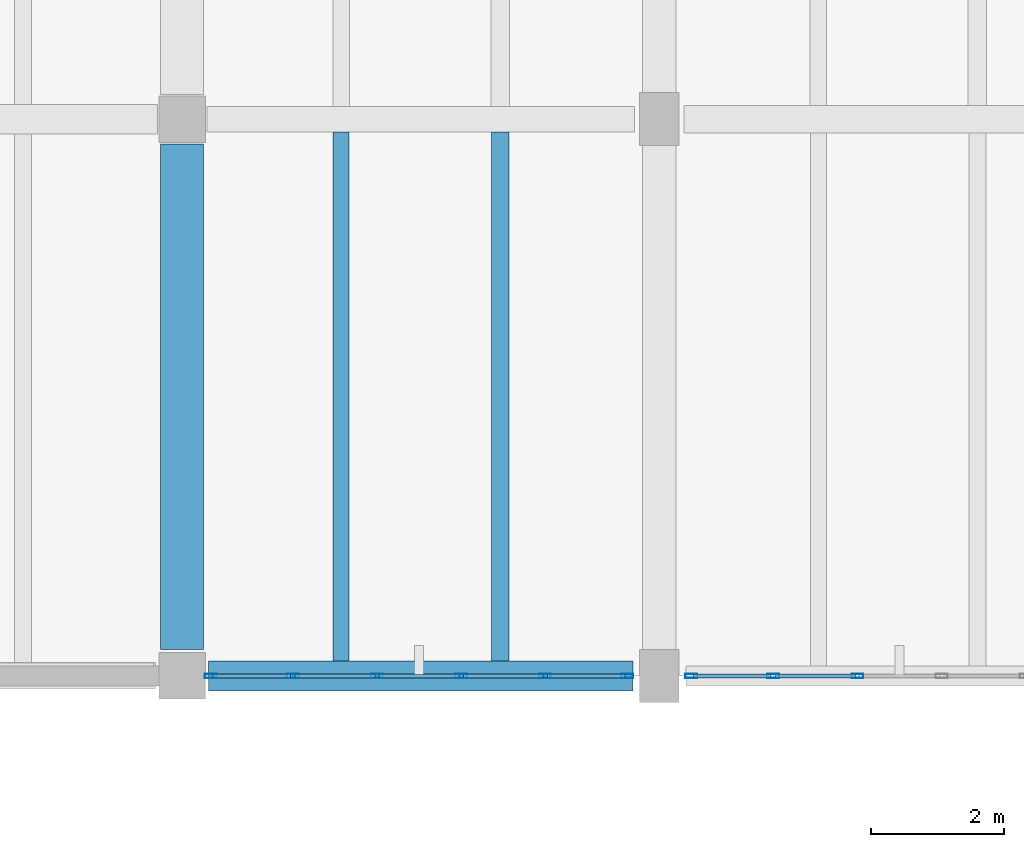
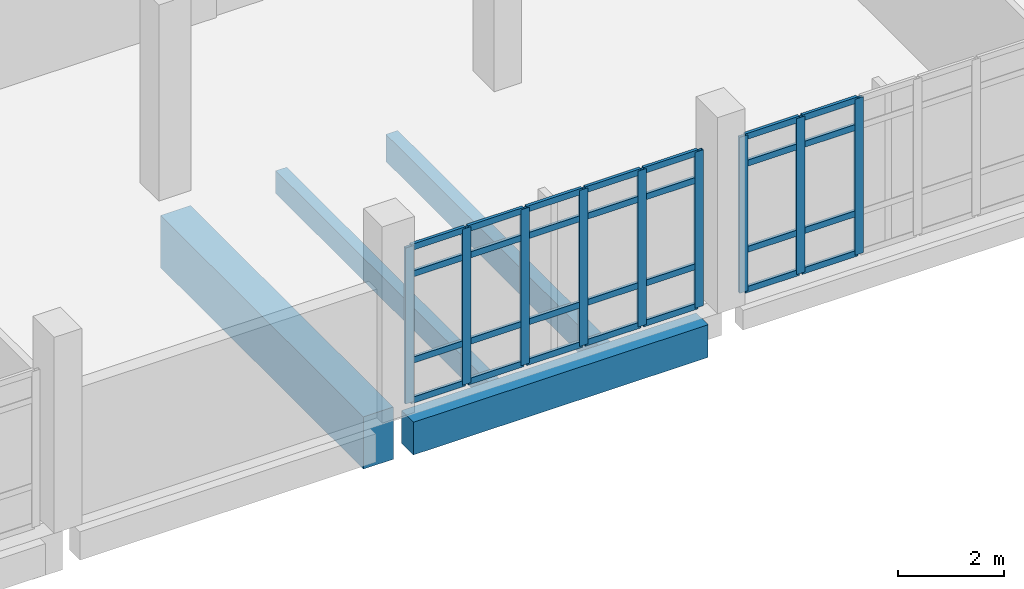
# One storey, part 48 of 87: 37 members, 4 beams, 2 elements without a shape of their own.
"""IFC4 building model written with IfcOpenShell, lengths in metres."""

from ifc_helpers import new_model, si_unit, direction, frame, origin, origin_2d, place, context, subcontext, project, spatial, rectangle, hollow_rectangle, extrude, material, material_profile, profile_set, type_object, element, aggregate, save


model = new_model("IFC4")

# Units and contexts
model_context = context("Model", 3, precision=1e-05, world=origin(), true_north=direction((0.0, 1.0)))
body_context = subcontext(model_context, "Body", "Model", "MODEL_VIEW")
ifc_project = project(units=[si_unit("LENGTHUNIT", "METRE"), si_unit("AREAUNIT", "SQUARE_METRE"), si_unit("VOLUMEUNIT", "CUBIC_METRE"), si_unit("PLANEANGLEUNIT", "RADIAN"), si_unit("MASSUNIT", "GRAM", prefix="KILO")], contexts=[model_context])

# Site, building, storey
site_placement = place(None, origin())
site = spatial("IfcSite", under=ifc_project, at=site_placement, CompositionType="ELEMENT")
building_placement = place(site_placement, origin())
building = spatial("IfcBuilding", under=site, at=building_placement, Name="Kalluvel Institute of Natural Sciences", CompositionType="ELEMENT")
storey_placement = place(building_placement, frame((0.0, 0.0, 18.89990234375)))
storey = spatial("IfcBuildingStorey", under=building, at=storey_placement, Name="L04", CompositionType="ELEMENT", Elevation=18.89990234375)

# Beams
ifc_material_1 = material(Name="Concrete M40", Category="concrete")
ifc_material_profile_1 = material_profile(ifc_material_1, rectangle(XDim=0.449951171875, YDim=0.75, at=origin_2d()), Name="RCB 450x750")
ifc_profile_set_1 = profile_set([ifc_material_profile_1], Name="Concrete M40")
beam_type_1 = type_object("IfcBeamType", Name="BM-RC450x750", PredefinedType="BEAM", material=ifc_profile_set_1)
beam_1_placement = place(storey_placement, frame((79.199951171875, 102.800048828125, -0.69482421875), z_axis=(1.0, 0.0, 0.0), x_axis=(0.0, 1.0, 0.0)))
element("IfcBeam", 1, at=beam_1_placement, inside=storey, type_object=beam_type_1, Name="L04 girder GIR-L04-EW-X788-Y1028", PredefinedType="BEAM", context=body_context, shape_type="SweptSolid", body=[
    extrude(rectangle(XDim=0.449951171875, YDim=0.75, at=origin_2d()), origin(), (0.0, 0.0, 1.0), 6.400146484375),
])
ifc_material_2 = material(Name="Concrete M50", Category="concrete")
ifc_material_profile_2 = material_profile(ifc_material_2, rectangle(XDim=0.64990234375, YDim=1.199951171875, at=origin_2d()), Name="RCB 650x1200")
ifc_profile_set_2 = profile_set([ifc_material_profile_2], Name="Concrete M50")
beam_type_2 = type_object("IfcBeamType", Name="BM-RC650x1200", PredefinedType="BEAM", material=ifc_profile_set_2)
beam_2_placement = place(storey_placement, frame((78.800048828125, 103.199951171875, -0.919921875), z_axis=(0.0, 1.0, 0.0), x_axis=(-1.0, 0.0, 0.0)))
element("IfcBeam", 2, at=beam_2_placement, inside=storey, type_object=beam_type_2, Name="L04 girder GIR-L04-NS-X788-Y1028", PredefinedType="BEAM", context=body_context, shape_type="SweptSolid", body=[
    extrude(rectangle(XDim=0.64990234375, YDim=1.199951171875, at=origin_2d()), origin(), (0.0, 0.0, 1.0), 7.625),
])

# Curtain wall, members
ifc_material_3 = material(Name="Aluminium AW-6063 T6", Category="aluminium")
curtain_wall_type = type_object("IfcCurtainWallType", Name="CW-WET-45", PredefinedType="USERDEFINED", material=ifc_material_3)
curtain_wall_1_placement = place(storey_placement, origin())
curtain_wall_1 = element("IfcCurtainWall", 3, at=curtain_wall_1_placement, inside=storey, type_object=curtain_wall_type, Name="L04 Gothic lancet curtain wall CWA-L04-X792-Y1028", ObjectType="UNITISED LANCET FACADE", PredefinedType="USERDEFINED")
ifc_material_profile_3 = material_profile(ifc_material_3, hollow_rectangle(XDim=0.06494140625, YDim=0.179931640625, WallThickness=0.00439453125, at=origin_2d()), Name="CWM 65x180")
ifc_profile_set_3 = profile_set([ifc_material_profile_3], Name="Aluminium AW-6063 T6")
member_type_1 = type_object("IfcMemberType", Name="CWM-65x180", PredefinedType="MULLION", material=ifc_profile_set_3)
member_1_placement = place(storey_placement, frame((79.232421875, 102.800048828125, 0.0), z_axis=(0.0, 0.0, 1.0), x_axis=(0.0, 1.0, 0.0)))
member_1 = element("IfcMember", 4, at=member_1_placement, type_object=member_type_1, Name="CW-01 mullion 1", PredefinedType="MULLION", context=body_context, shape_type="SweptSolid", body=[
    extrude(hollow_rectangle(XDim=0.06494140625, YDim=0.179931640625, WallThickness=0.00439453125, at=origin_2d()), origin(), (0.0, 0.0, 1.0), 3.580078125),
])
member_2_placement = place(storey_placement, frame((80.469970703125, 102.800048828125, 0.0), z_axis=(0.0, 0.0, 1.0), x_axis=(0.0, 1.0, 0.0)))
member_2 = element("IfcMember", 5, at=member_2_placement, type_object=member_type_1, Name="CW-01 mullion 2", PredefinedType="MULLION", context=body_context, shape_type="SweptSolid", body=[
    extrude(hollow_rectangle(XDim=0.06494140625, YDim=0.179931640625, WallThickness=0.00439453125, at=origin_2d()), origin(), (0.0, 0.0, 1.0), 3.580078125),
])
member_3_placement = place(storey_placement, frame((81.739990234375, 102.800048828125, 0.0), z_axis=(0.0, 0.0, 1.0), x_axis=(0.0, 1.0, 0.0)))
member_3 = element("IfcMember", 6, at=member_3_placement, type_object=member_type_1, Name="CW-01 mullion 3", PredefinedType="MULLION", context=body_context, shape_type="SweptSolid", body=[
    extrude(hollow_rectangle(XDim=0.06494140625, YDim=0.179931640625, WallThickness=0.00439453125, at=origin_2d()), origin(), (0.0, 0.0, 1.0), 3.580078125),
])
member_4_placement = place(storey_placement, frame((83.010009765625, 102.800048828125, 0.0), z_axis=(0.0, 0.0, 1.0), x_axis=(0.0, 1.0, 0.0)))
member_4 = element("IfcMember", 7, at=member_4_placement, type_object=member_type_1, Name="CW-01 mullion 4", PredefinedType="MULLION", context=body_context, shape_type="SweptSolid", body=[
    extrude(hollow_rectangle(XDim=0.06494140625, YDim=0.179931640625, WallThickness=0.00439453125, at=origin_2d()), origin(), (0.0, 0.0, 1.0), 3.580078125),
])
member_5_placement = place(storey_placement, frame((84.280029296875, 102.800048828125, 0.0), z_axis=(0.0, 0.0, 1.0), x_axis=(0.0, 1.0, 0.0)))
member_5 = element("IfcMember", 8, at=member_5_placement, type_object=member_type_1, Name="CW-01 mullion 5", PredefinedType="MULLION", context=body_context, shape_type="SweptSolid", body=[
    extrude(hollow_rectangle(XDim=0.06494140625, YDim=0.179931640625, WallThickness=0.00439453125, at=origin_2d()), origin(), (0.0, 0.0, 1.0), 3.580078125),
])
member_6_placement = place(storey_placement, frame((85.517578125, 102.800048828125, 0.0), z_axis=(0.0, 0.0, 1.0), x_axis=(0.0, 1.0, 0.0)))
member_6 = element("IfcMember", 9, at=member_6_placement, type_object=member_type_1, Name="CW-01 mullion 6", PredefinedType="MULLION", context=body_context, shape_type="SweptSolid", body=[
    extrude(hollow_rectangle(XDim=0.06494140625, YDim=0.179931640625, WallThickness=0.00439453125, at=origin_2d()), origin(), (0.0, 0.0, 1.0), 3.580078125),
])

curtain_wall_2_placement = place(storey_placement, origin())
curtain_wall_2 = element("IfcCurtainWall", 10, at=curtain_wall_2_placement, inside=storey, type_object=curtain_wall_type, Name="L04 Gothic lancet curtain wall CWA-L04-X864-Y1028", ObjectType="UNITISED LANCET FACADE", PredefinedType="USERDEFINED")
member_7_placement = place(storey_placement, frame((86.482421875, 102.800048828125, 0.0), z_axis=(0.0, 0.0, 1.0), x_axis=(0.0, 1.0, 0.0)))
member_7 = element("IfcMember", 11, at=member_7_placement, type_object=member_type_1, Name="CW-01 mullion 1", PredefinedType="MULLION", context=body_context, shape_type="SweptSolid", body=[
    extrude(hollow_rectangle(XDim=0.06494140625, YDim=0.179931640625, WallThickness=0.00439453125, at=origin_2d()), origin(), (0.0, 0.0, 1.0), 3.580078125),
])
member_8_placement = place(storey_placement, frame((87.719970703125, 102.800048828125, 0.0), z_axis=(0.0, 0.0, 1.0), x_axis=(0.0, 1.0, 0.0)))
member_8 = element("IfcMember", 12, at=member_8_placement, type_object=member_type_1, Name="CW-01 mullion 2", PredefinedType="MULLION", context=body_context, shape_type="SweptSolid", body=[
    extrude(hollow_rectangle(XDim=0.06494140625, YDim=0.179931640625, WallThickness=0.00439453125, at=origin_2d()), origin(), (0.0, 0.0, 1.0), 3.580078125),
])
member_9_placement = place(storey_placement, frame((88.989990234375, 102.800048828125, 0.0), z_axis=(0.0, 0.0, 1.0), x_axis=(0.0, 1.0, 0.0)))
member_9 = element("IfcMember", 13, at=member_9_placement, type_object=member_type_1, Name="CW-01 mullion 3", PredefinedType="MULLION", context=body_context, shape_type="SweptSolid", body=[
    extrude(hollow_rectangle(XDim=0.06494140625, YDim=0.179931640625, WallThickness=0.00439453125, at=origin_2d()), origin(), (0.0, 0.0, 1.0), 3.580078125),
])

# Member
ifc_material_profile_4 = material_profile(ifc_material_3, hollow_rectangle(XDim=0.06494140625, YDim=0.139892578125, WallThickness=0.00439453125, at=origin_2d()), Name="CWT 65x140")
ifc_profile_set_4 = profile_set([ifc_material_profile_4], Name="Aluminium AW-6063 T6")
member_type_2 = type_object("IfcMemberType", Name="CWT-65x140", PredefinedType="USERDEFINED", material=ifc_profile_set_4)
member_10_placement = place(storey_placement, frame((79.264892578125, 102.800048828125, 0.03271484375), z_axis=(1.0, 0.0, 0.0), x_axis=(0.0, 1.0, 0.0)))
member_10 = element("IfcMember", 14, at=member_10_placement, type_object=member_type_2, Name="CW-01 transom 1.1", ObjectType="TRANSOM", PredefinedType="USERDEFINED", context=body_context, shape_type="SweptSolid", body=[
    extrude(hollow_rectangle(XDim=0.06494140625, YDim=0.139892578125, WallThickness=0.00439453125, at=origin_2d()), origin(), (0.0, 0.0, 1.0), 1.172607421875),
])

member_11_placement = place(storey_placement, frame((79.264892578125, 102.800048828125, 0.9501953125), z_axis=(1.0, 0.0, 0.0), x_axis=(0.0, 1.0, 0.0)))
member_11 = element("IfcMember", 15, at=member_11_placement, type_object=member_type_2, Name="CW-01 transom 1.2", ObjectType="TRANSOM", PredefinedType="USERDEFINED", context=body_context, shape_type="SweptSolid", body=[
    extrude(hollow_rectangle(XDim=0.06494140625, YDim=0.139892578125, WallThickness=0.00439453125, at=origin_2d()), origin(), (0.0, 0.0, 1.0), 1.172607421875),
])

member_12_placement = place(storey_placement, frame((79.264892578125, 102.800048828125, 2.93017578125), z_axis=(1.0, 0.0, 0.0), x_axis=(0.0, 1.0, 0.0)))
member_12 = element("IfcMember", 16, at=member_12_placement, type_object=member_type_2, Name="CW-01 transom 1.3", ObjectType="TRANSOM", PredefinedType="USERDEFINED", context=body_context, shape_type="SweptSolid", body=[
    extrude(hollow_rectangle(XDim=0.06494140625, YDim=0.139892578125, WallThickness=0.00439453125, at=origin_2d()), origin(), (0.0, 0.0, 1.0), 1.172607421875),
])

member_13_placement = place(storey_placement, frame((79.264892578125, 102.800048828125, 3.547607421875), z_axis=(1.0, 0.0, 0.0), x_axis=(0.0, 1.0, 0.0)))
member_13 = element("IfcMember", 17, at=member_13_placement, type_object=member_type_2, Name="CW-01 transom 1.4", ObjectType="TRANSOM", PredefinedType="USERDEFINED", context=body_context, shape_type="SweptSolid", body=[
    extrude(hollow_rectangle(XDim=0.06494140625, YDim=0.139892578125, WallThickness=0.00439453125, at=origin_2d()), origin(), (0.0, 0.0, 1.0), 1.172607421875),
])

member_14_placement = place(storey_placement, frame((80.50244140625, 102.800048828125, 0.03271484375), z_axis=(1.0, 0.0, 0.0), x_axis=(0.0, 1.0, 0.0)))
member_14 = element("IfcMember", 18, at=member_14_placement, type_object=member_type_2, Name="CW-01 transom 2.1", ObjectType="TRANSOM", PredefinedType="USERDEFINED", context=body_context, shape_type="SweptSolid", body=[
    extrude(hollow_rectangle(XDim=0.06494140625, YDim=0.139892578125, WallThickness=0.00439453125, at=origin_2d()), origin(), (0.0, 0.0, 1.0), 1.205078125),
])

member_15_placement = place(storey_placement, frame((80.50244140625, 102.800048828125, 0.9501953125), z_axis=(1.0, 0.0, 0.0), x_axis=(0.0, 1.0, 0.0)))
member_15 = element("IfcMember", 19, at=member_15_placement, type_object=member_type_2, Name="CW-01 transom 2.2", ObjectType="TRANSOM", PredefinedType="USERDEFINED", context=body_context, shape_type="SweptSolid", body=[
    extrude(hollow_rectangle(XDim=0.06494140625, YDim=0.139892578125, WallThickness=0.00439453125, at=origin_2d()), origin(), (0.0, 0.0, 1.0), 1.205078125),
])

member_16_placement = place(storey_placement, frame((80.50244140625, 102.800048828125, 2.93017578125), z_axis=(1.0, 0.0, 0.0), x_axis=(0.0, 1.0, 0.0)))
member_16 = element("IfcMember", 20, at=member_16_placement, type_object=member_type_2, Name="CW-01 transom 2.3", ObjectType="TRANSOM", PredefinedType="USERDEFINED", context=body_context, shape_type="SweptSolid", body=[
    extrude(hollow_rectangle(XDim=0.06494140625, YDim=0.139892578125, WallThickness=0.00439453125, at=origin_2d()), origin(), (0.0, 0.0, 1.0), 1.205078125),
])

member_17_placement = place(storey_placement, frame((80.50244140625, 102.800048828125, 3.547607421875), z_axis=(1.0, 0.0, 0.0), x_axis=(0.0, 1.0, 0.0)))
member_17 = element("IfcMember", 21, at=member_17_placement, type_object=member_type_2, Name="CW-01 transom 2.4", ObjectType="TRANSOM", PredefinedType="USERDEFINED", context=body_context, shape_type="SweptSolid", body=[
    extrude(hollow_rectangle(XDim=0.06494140625, YDim=0.139892578125, WallThickness=0.00439453125, at=origin_2d()), origin(), (0.0, 0.0, 1.0), 1.205078125),
])

member_18_placement = place(storey_placement, frame((81.7724609375, 102.800048828125, 0.03271484375), z_axis=(1.0, 0.0, 0.0), x_axis=(0.0, 1.0, 0.0)))
member_18 = element("IfcMember", 22, at=member_18_placement, type_object=member_type_2, Name="CW-01 transom 3.1", ObjectType="TRANSOM", PredefinedType="USERDEFINED", context=body_context, shape_type="SweptSolid", body=[
    extrude(hollow_rectangle(XDim=0.06494140625, YDim=0.139892578125, WallThickness=0.00439453125, at=origin_2d()), origin(), (0.0, 0.0, 1.0), 1.205078125),
])

member_19_placement = place(storey_placement, frame((81.7724609375, 102.800048828125, 0.9501953125), z_axis=(1.0, 0.0, 0.0), x_axis=(0.0, 1.0, 0.0)))
member_19 = element("IfcMember", 23, at=member_19_placement, type_object=member_type_2, Name="CW-01 transom 3.2", ObjectType="TRANSOM", PredefinedType="USERDEFINED", context=body_context, shape_type="SweptSolid", body=[
    extrude(hollow_rectangle(XDim=0.06494140625, YDim=0.139892578125, WallThickness=0.00439453125, at=origin_2d()), origin(), (0.0, 0.0, 1.0), 1.205078125),
])

member_20_placement = place(storey_placement, frame((81.7724609375, 102.800048828125, 2.93017578125), z_axis=(1.0, 0.0, 0.0), x_axis=(0.0, 1.0, 0.0)))
member_20 = element("IfcMember", 24, at=member_20_placement, type_object=member_type_2, Name="CW-01 transom 3.3", ObjectType="TRANSOM", PredefinedType="USERDEFINED", context=body_context, shape_type="SweptSolid", body=[
    extrude(hollow_rectangle(XDim=0.06494140625, YDim=0.139892578125, WallThickness=0.00439453125, at=origin_2d()), origin(), (0.0, 0.0, 1.0), 1.205078125),
])

member_21_placement = place(storey_placement, frame((81.7724609375, 102.800048828125, 3.547607421875), z_axis=(1.0, 0.0, 0.0), x_axis=(0.0, 1.0, 0.0)))
member_21 = element("IfcMember", 25, at=member_21_placement, type_object=member_type_2, Name="CW-01 transom 3.4", ObjectType="TRANSOM", PredefinedType="USERDEFINED", context=body_context, shape_type="SweptSolid", body=[
    extrude(hollow_rectangle(XDim=0.06494140625, YDim=0.139892578125, WallThickness=0.00439453125, at=origin_2d()), origin(), (0.0, 0.0, 1.0), 1.205078125),
])

member_22_placement = place(storey_placement, frame((83.04248046875, 102.800048828125, 0.03271484375), z_axis=(1.0, 0.0, 0.0), x_axis=(0.0, 1.0, 0.0)))
member_22 = element("IfcMember", 26, at=member_22_placement, type_object=member_type_2, Name="CW-01 transom 4.1", ObjectType="TRANSOM", PredefinedType="USERDEFINED", context=body_context, shape_type="SweptSolid", body=[
    extrude(hollow_rectangle(XDim=0.06494140625, YDim=0.139892578125, WallThickness=0.00439453125, at=origin_2d()), origin(), (0.0, 0.0, 1.0), 1.205078125),
])

member_23_placement = place(storey_placement, frame((83.04248046875, 102.800048828125, 0.9501953125), z_axis=(1.0, 0.0, 0.0), x_axis=(0.0, 1.0, 0.0)))
member_23 = element("IfcMember", 27, at=member_23_placement, type_object=member_type_2, Name="CW-01 transom 4.2", ObjectType="TRANSOM", PredefinedType="USERDEFINED", context=body_context, shape_type="SweptSolid", body=[
    extrude(hollow_rectangle(XDim=0.06494140625, YDim=0.139892578125, WallThickness=0.00439453125, at=origin_2d()), origin(), (0.0, 0.0, 1.0), 1.205078125),
])

member_24_placement = place(storey_placement, frame((83.04248046875, 102.800048828125, 2.93017578125), z_axis=(1.0, 0.0, 0.0), x_axis=(0.0, 1.0, 0.0)))
member_24 = element("IfcMember", 28, at=member_24_placement, type_object=member_type_2, Name="CW-01 transom 4.3", ObjectType="TRANSOM", PredefinedType="USERDEFINED", context=body_context, shape_type="SweptSolid", body=[
    extrude(hollow_rectangle(XDim=0.06494140625, YDim=0.139892578125, WallThickness=0.00439453125, at=origin_2d()), origin(), (0.0, 0.0, 1.0), 1.205078125),
])

member_25_placement = place(storey_placement, frame((83.04248046875, 102.800048828125, 3.547607421875), z_axis=(1.0, 0.0, 0.0), x_axis=(0.0, 1.0, 0.0)))
member_25 = element("IfcMember", 29, at=member_25_placement, type_object=member_type_2, Name="CW-01 transom 4.4", ObjectType="TRANSOM", PredefinedType="USERDEFINED", context=body_context, shape_type="SweptSolid", body=[
    extrude(hollow_rectangle(XDim=0.06494140625, YDim=0.139892578125, WallThickness=0.00439453125, at=origin_2d()), origin(), (0.0, 0.0, 1.0), 1.205078125),
])

member_26_placement = place(storey_placement, frame((84.3125, 102.800048828125, 0.03271484375), z_axis=(1.0, 0.0, 0.0), x_axis=(0.0, 1.0, 0.0)))
member_26 = element("IfcMember", 30, at=member_26_placement, type_object=member_type_2, Name="CW-01 transom 5.1", ObjectType="TRANSOM", PredefinedType="USERDEFINED", context=body_context, shape_type="SweptSolid", body=[
    extrude(hollow_rectangle(XDim=0.06494140625, YDim=0.139892578125, WallThickness=0.00439453125, at=origin_2d()), origin(), (0.0, 0.0, 1.0), 1.172607421875),
])

member_27_placement = place(storey_placement, frame((84.3125, 102.800048828125, 0.9501953125), z_axis=(1.0, 0.0, 0.0), x_axis=(0.0, 1.0, 0.0)))
member_27 = element("IfcMember", 31, at=member_27_placement, type_object=member_type_2, Name="CW-01 transom 5.2", ObjectType="TRANSOM", PredefinedType="USERDEFINED", context=body_context, shape_type="SweptSolid", body=[
    extrude(hollow_rectangle(XDim=0.06494140625, YDim=0.139892578125, WallThickness=0.00439453125, at=origin_2d()), origin(), (0.0, 0.0, 1.0), 1.172607421875),
])

member_28_placement = place(storey_placement, frame((84.3125, 102.800048828125, 2.93017578125), z_axis=(1.0, 0.0, 0.0), x_axis=(0.0, 1.0, 0.0)))
member_28 = element("IfcMember", 32, at=member_28_placement, type_object=member_type_2, Name="CW-01 transom 5.3", ObjectType="TRANSOM", PredefinedType="USERDEFINED", context=body_context, shape_type="SweptSolid", body=[
    extrude(hollow_rectangle(XDim=0.06494140625, YDim=0.139892578125, WallThickness=0.00439453125, at=origin_2d()), origin(), (0.0, 0.0, 1.0), 1.172607421875),
])

member_29_placement = place(storey_placement, frame((84.3125, 102.800048828125, 3.547607421875), z_axis=(1.0, 0.0, 0.0), x_axis=(0.0, 1.0, 0.0)))
member_29 = element("IfcMember", 33, at=member_29_placement, type_object=member_type_2, Name="CW-01 transom 5.4", ObjectType="TRANSOM", PredefinedType="USERDEFINED", context=body_context, shape_type="SweptSolid", body=[
    extrude(hollow_rectangle(XDim=0.06494140625, YDim=0.139892578125, WallThickness=0.00439453125, at=origin_2d()), origin(), (0.0, 0.0, 1.0), 1.172607421875),
])

aggregate(curtain_wall_1, [member_1, member_2, member_3, member_4, member_5, member_6, member_10, member_11, member_12, member_13, member_14, member_15, member_16, member_17, member_18, member_19, member_20, member_21, member_22, member_23, member_24, member_25, member_26, member_27, member_28, member_29])

member_30_placement = place(storey_placement, frame((86.514892578125, 102.800048828125, 0.03271484375), z_axis=(1.0, 0.0, 0.0), x_axis=(0.0, 1.0, 0.0)))
member_30 = element("IfcMember", 34, at=member_30_placement, type_object=member_type_2, Name="CW-01 transom 1.1", ObjectType="TRANSOM", PredefinedType="USERDEFINED", context=body_context, shape_type="SweptSolid", body=[
    extrude(hollow_rectangle(XDim=0.06494140625, YDim=0.139892578125, WallThickness=0.00439453125, at=origin_2d()), origin(), (0.0, 0.0, 1.0), 1.172607421875),
])

member_31_placement = place(storey_placement, frame((86.514892578125, 102.800048828125, 0.9501953125), z_axis=(1.0, 0.0, 0.0), x_axis=(0.0, 1.0, 0.0)))
member_31 = element("IfcMember", 35, at=member_31_placement, type_object=member_type_2, Name="CW-01 transom 1.2", ObjectType="TRANSOM", PredefinedType="USERDEFINED", context=body_context, shape_type="SweptSolid", body=[
    extrude(hollow_rectangle(XDim=0.06494140625, YDim=0.139892578125, WallThickness=0.00439453125, at=origin_2d()), origin(), (0.0, 0.0, 1.0), 1.172607421875),
])

member_32_placement = place(storey_placement, frame((86.514892578125, 102.800048828125, 2.93017578125), z_axis=(1.0, 0.0, 0.0), x_axis=(0.0, 1.0, 0.0)))
member_32 = element("IfcMember", 36, at=member_32_placement, type_object=member_type_2, Name="CW-01 transom 1.3", ObjectType="TRANSOM", PredefinedType="USERDEFINED", context=body_context, shape_type="SweptSolid", body=[
    extrude(hollow_rectangle(XDim=0.06494140625, YDim=0.139892578125, WallThickness=0.00439453125, at=origin_2d()), origin(), (0.0, 0.0, 1.0), 1.172607421875),
])

member_33_placement = place(storey_placement, frame((86.514892578125, 102.800048828125, 3.547607421875), z_axis=(1.0, 0.0, 0.0), x_axis=(0.0, 1.0, 0.0)))
member_33 = element("IfcMember", 37, at=member_33_placement, type_object=member_type_2, Name="CW-01 transom 1.4", ObjectType="TRANSOM", PredefinedType="USERDEFINED", context=body_context, shape_type="SweptSolid", body=[
    extrude(hollow_rectangle(XDim=0.06494140625, YDim=0.139892578125, WallThickness=0.00439453125, at=origin_2d()), origin(), (0.0, 0.0, 1.0), 1.172607421875),
])

member_34_placement = place(storey_placement, frame((87.75244140625, 102.800048828125, 0.03271484375), z_axis=(1.0, 0.0, 0.0), x_axis=(0.0, 1.0, 0.0)))
member_34 = element("IfcMember", 38, at=member_34_placement, type_object=member_type_2, Name="CW-01 transom 2.1", ObjectType="TRANSOM", PredefinedType="USERDEFINED", context=body_context, shape_type="SweptSolid", body=[
    extrude(hollow_rectangle(XDim=0.06494140625, YDim=0.139892578125, WallThickness=0.00439453125, at=origin_2d()), origin(), (0.0, 0.0, 1.0), 1.205078125),
])

member_35_placement = place(storey_placement, frame((87.75244140625, 102.800048828125, 0.9501953125), z_axis=(1.0, 0.0, 0.0), x_axis=(0.0, 1.0, 0.0)))
member_35 = element("IfcMember", 39, at=member_35_placement, type_object=member_type_2, Name="CW-01 transom 2.2", ObjectType="TRANSOM", PredefinedType="USERDEFINED", context=body_context, shape_type="SweptSolid", body=[
    extrude(hollow_rectangle(XDim=0.06494140625, YDim=0.139892578125, WallThickness=0.00439453125, at=origin_2d()), origin(), (0.0, 0.0, 1.0), 1.205078125),
])

member_36_placement = place(storey_placement, frame((87.75244140625, 102.800048828125, 2.93017578125), z_axis=(1.0, 0.0, 0.0), x_axis=(0.0, 1.0, 0.0)))
member_36 = element("IfcMember", 40, at=member_36_placement, type_object=member_type_2, Name="CW-01 transom 2.3", ObjectType="TRANSOM", PredefinedType="USERDEFINED", context=body_context, shape_type="SweptSolid", body=[
    extrude(hollow_rectangle(XDim=0.06494140625, YDim=0.139892578125, WallThickness=0.00439453125, at=origin_2d()), origin(), (0.0, 0.0, 1.0), 1.205078125),
])

member_37_placement = place(storey_placement, frame((87.75244140625, 102.800048828125, 3.547607421875), z_axis=(1.0, 0.0, 0.0), x_axis=(0.0, 1.0, 0.0)))
member_37 = element("IfcMember", 41, at=member_37_placement, type_object=member_type_2, Name="CW-01 transom 2.4", ObjectType="TRANSOM", PredefinedType="USERDEFINED", context=body_context, shape_type="SweptSolid", body=[
    extrude(hollow_rectangle(XDim=0.06494140625, YDim=0.139892578125, WallThickness=0.00439453125, at=origin_2d()), origin(), (0.0, 0.0, 1.0), 1.205078125),
])

aggregate(curtain_wall_2, [member_7, member_8, member_9, member_30, member_31, member_32, member_33, member_34, member_35, member_36, member_37])

# Beams
ifc_material_profile_5 = material_profile(ifc_material_1, rectangle(XDim=0.239990234375, YDim=0.52001953125, at=origin_2d()), Name="WAF 240x520")
ifc_profile_set_5 = profile_set([ifc_material_profile_5], Name="Concrete M40")
beam_type_3 = type_object("IfcBeamType", Name="WJ-240x520", PredefinedType="JOIST", material=ifc_profile_set_5)
beam_3_placement = place(storey_placement, frame((81.199951171875, 103.02490234375, -0.579833984375), z_axis=(0.0, 1.0, 0.0), x_axis=(-1.0, 0.0, 0.0)))
element("IfcBeam", 42, at=beam_3_placement, inside=storey, type_object=beam_type_3, Name="L04 waffle joist RIB-L04-0338", PredefinedType="JOIST", context=body_context, shape_type="SweptSolid", body=[
    extrude(rectangle(XDim=0.239990234375, YDim=0.52001953125, at=origin_2d()), origin(), (0.0, 0.0, 1.0), 7.985107421875),
])
ifc_material_profile_6 = material_profile(ifc_material_2, rectangle(XDim=0.260009765625, YDim=0.6201171875, at=origin_2d()), Name="WAF 260x620")
ifc_profile_set_6 = profile_set([ifc_material_profile_6], Name="Concrete M50")
beam_type_4 = type_object("IfcBeamType", Name="WJ-260x620", PredefinedType="JOIST", material=ifc_profile_set_6)
beam_4_placement = place(storey_placement, frame((83.60009765625, 103.02490234375, -0.6298828125), z_axis=(0.0, 1.0, 0.0), x_axis=(-1.0, 0.0, 0.0)))
element("IfcBeam", 43, at=beam_4_placement, inside=storey, type_object=beam_type_4, Name="L04 waffle joist RIB-L04-0339", PredefinedType="JOIST", context=body_context, shape_type="SweptSolid", body=[
    extrude(rectangle(XDim=0.260009765625, YDim=0.6201171875, at=origin_2d()), origin(), (0.0, 0.0, 1.0), 7.985107421875),
])

save(model, "model.ifc")
